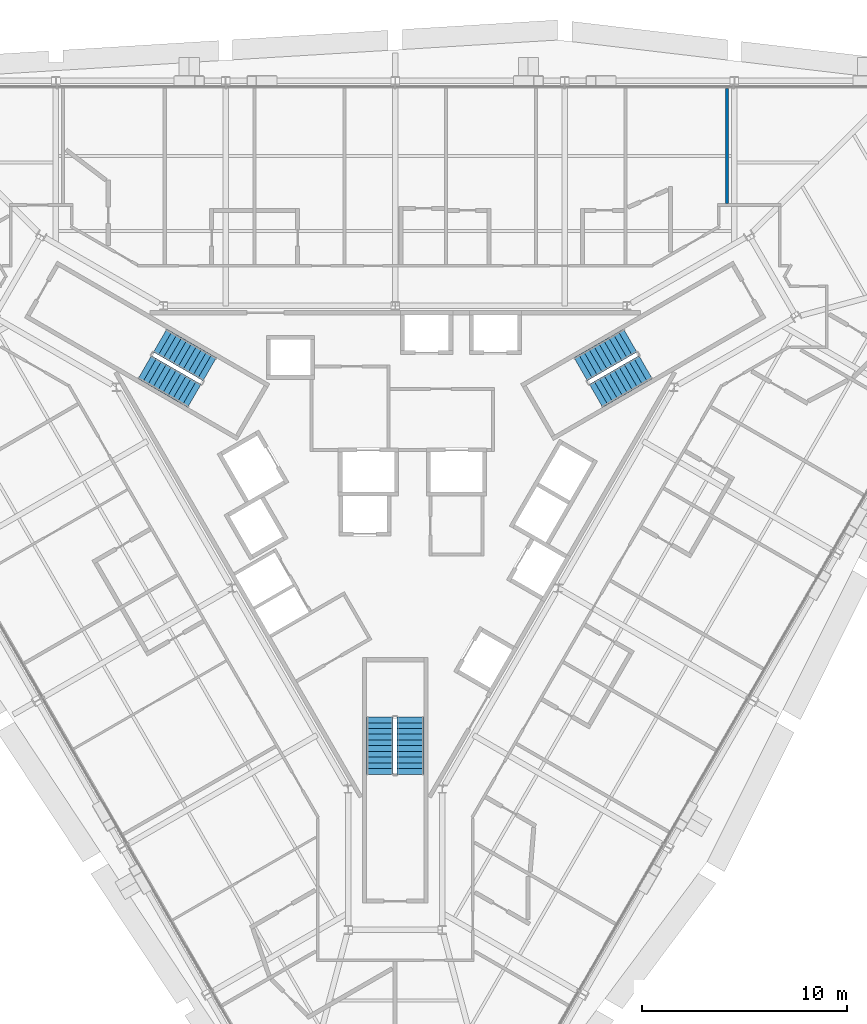
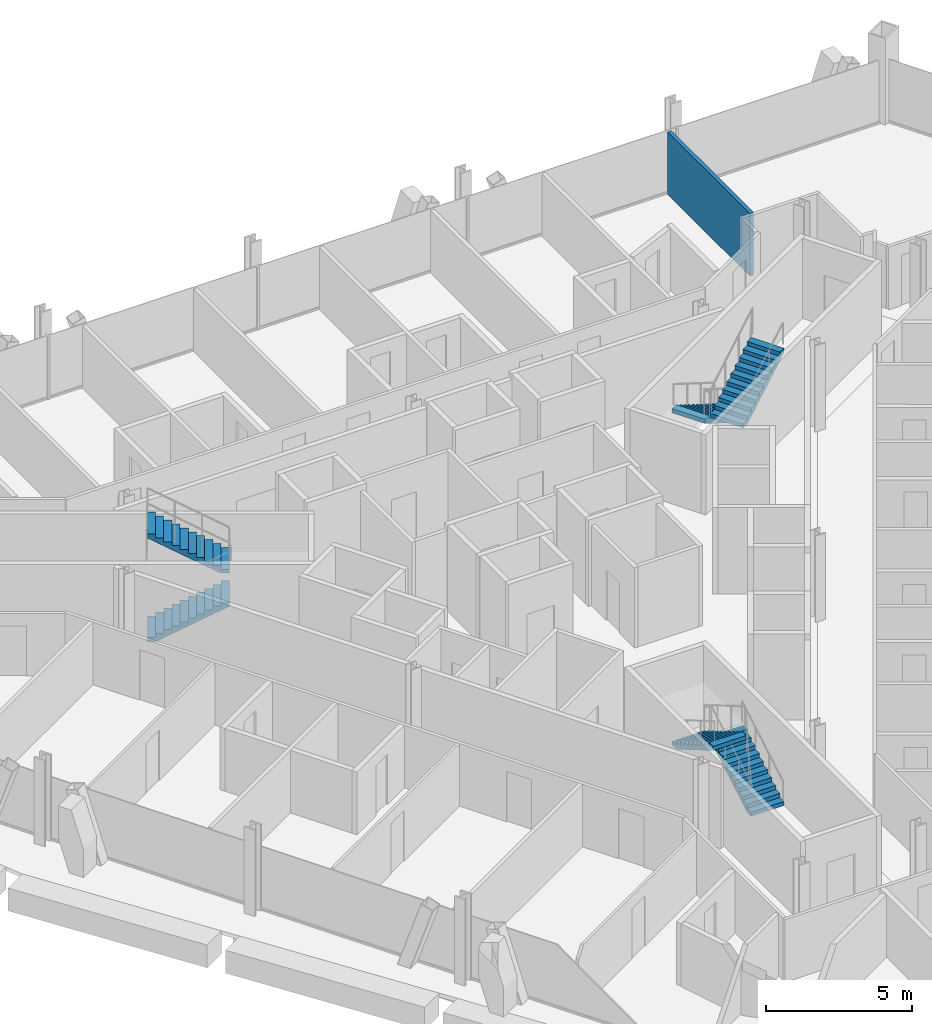
# One storey, part 15 of 17: 6 stair flights, 1 wall, 3 elements without a shape of their own.
"""IFC4 building model written with IfcOpenShell, lengths in metres."""

import ifcopenshell
import ifcopenshell.guid

model = None  # the IFC model being written
_history = None  # IfcOwnerHistory: only IFC2X3 demands one
_inside = {}  # id of a spatial element -> (the spatial element, [elements in it])
_under = {}  # id of a project, library or spatial element -> (it, [spatial elements below it])
_declared = {}  # id of a project -> (the project, [libraries it declares])
_typed = {}  # id of a type object -> (the type object, [elements of that type])
_made_of = {}  # id of a material, layer set ... -> (it, [elements and type objects made of it])


def new_model(schema):
    """Start an empty IFC model of exactly this schema.

    Asked for "IFC4X3", IfcOpenShell would pick the latest addendum, in which some entities
    have other attributes; the version numbers below select the first issue.
    IFC2X3 requires an IfcOwnerHistory on every rooted entity: one is made here for all.
    """
    global model, _history
    if schema == "IFC4X3":
        model = ifcopenshell.file(schema_version=(4, 3, 0, 0))
    else:
        model = ifcopenshell.file(schema=schema)
    _inside.clear()
    _under.clear()
    _declared.clear()
    _typed.clear()
    _made_of.clear()
    _history = None
    if model.schema == "IFC2X3":
        org = make("IfcOrganization", Name="unknown")
        user = make(
            "IfcPersonAndOrganization",
            ThePerson=make("IfcPerson", FamilyName="unknown"),
            TheOrganization=org,
        )
        app = make(
            "IfcApplication",
            ApplicationDeveloper=org,
            Version="unknown",
            ApplicationFullName="unknown",
            ApplicationIdentifier="unknown",
        )
        _history = make(
            "IfcOwnerHistory",
            OwningUser=user,
            OwningApplication=app,
            ChangeAction="ADDED",
            CreationDate=0,
        )
    return model


def make(cls, **values):
    """One entity of the class cls with the attributes given. An attribute that is None is left unset."""
    return model.create_entity(
        cls, **{name: value for name, value in values.items() if value is not None}
    )


def rooted(cls, **values):
    """An entity with a GlobalId (a new one), such as an element, a storey or a relation."""
    return make(cls, GlobalId=ifcopenshell.guid.new(), OwnerHistory=_history, **values)


def si_unit(unit_type, name, prefix=None):
    """IfcSIUnit, for example si_unit("LENGTHUNIT", "METRE", prefix="MILLI")."""
    return make("IfcSIUnit", UnitType=unit_type, Prefix=prefix, Name=name)


def assignment(units):
    """IfcUnitAssignment: the units of a project."""
    return None if units is None else make("IfcUnitAssignment", Units=units)


def point(xyz):
    """IfcCartesianPoint."""
    return None if xyz is None else make("IfcCartesianPoint", Coordinates=xyz)


def direction(xyz):
    """IfcDirection."""
    return None if xyz is None else make("IfcDirection", DirectionRatios=xyz)


def frame(location, z_axis=None, x_axis=None):
    """IfcAxis2Placement3D, a coordinate frame: its origin and axes. An axis left out is left unset."""
    return make(
        "IfcAxis2Placement3D",
        Location=point(location),
        Axis=direction(z_axis),
        RefDirection=direction(x_axis),
    )


def frame_2d(location, x_axis=None):
    """IfcAxis2Placement2D, a coordinate frame in the plane: its origin and x axis."""
    return make(
        "IfcAxis2Placement2D", Location=point(location), RefDirection=direction(x_axis)
    )


def origin():
    """The frame at (0, 0, 0) with its axes left unset."""
    return frame((0.0, 0.0, 0.0))


def place(relative_to, where):
    """IfcLocalPlacement: puts the frame where relative to a parent placement (None: the world)."""
    return make(
        "IfcLocalPlacement", PlacementRelTo=relative_to, RelativePlacement=where
    )


def context(
    kind, dimensions, precision=None, world=None, true_north=None, identifier=None
):
    """IfcGeometricRepresentationContext, for example the 3D "Model" context."""
    return make(
        "IfcGeometricRepresentationContext",
        ContextIdentifier=identifier,
        ContextType=kind,
        CoordinateSpaceDimension=dimensions,
        Precision=precision,
        WorldCoordinateSystem=world,
        TrueNorth=true_north,
    )


def subcontext(parent, identifier, kind, view, scale=None):
    """IfcGeometricRepresentationSubContext, for example "Body" below "Model"."""
    return make(
        "IfcGeometricRepresentationSubContext",
        ContextIdentifier=identifier,
        ContextType=kind,
        ParentContext=parent,
        TargetScale=scale,
        TargetView=view,
    )


def project(units=None, contexts=None):
    """IfcProject with its units and contexts."""
    return rooted(
        "IfcProject",
        Name="project",
        RepresentationContexts=contexts,
        UnitsInContext=assignment(units),
    )


def spatial(cls, under=None, at=None, **own):
    """A site, building, storey or space (cls), placed at a placement, below another one or the project."""
    s = rooted(cls, ObjectPlacement=at, **own)
    if under is not None:
        _under.setdefault(under.id(), (under, []))[1].append(s)
    return s


def polyline(points):
    """IfcPolyline through the points."""
    return make("IfcPolyline", Points=[point(p) for p in points])


def profile(cls, at=None, kind="AREA", **sizes):
    """A parametric profile (cls). Its sizes go by their IFC names, for example OverallWidth=200.0."""
    return make(cls, ProfileType=kind, Position=at, **sizes)


def rectangle(**sizes):
    """IfcRectangleProfileDef."""
    return profile("IfcRectangleProfileDef", **sizes)


def outline(outer, holes=None, kind="AREA"):
    """IfcArbitraryClosedProfileDef: a profile drawn as a closed curve; with holes, ...WithVoids."""
    if holes is None:
        return make("IfcArbitraryClosedProfileDef", ProfileType=kind, OuterCurve=outer)
    return make(
        "IfcArbitraryProfileDefWithVoids",
        ProfileType=kind,
        OuterCurve=outer,
        InnerCurves=holes,
    )


def extrude(swept, where, along, depth):
    """IfcExtrudedAreaSolid: the profile swept, set in the frame where, extruded along a direction by depth."""
    return make(
        "IfcExtrudedAreaSolid",
        SweptArea=swept,
        Position=where,
        ExtrudedDirection=direction(along),
        Depth=depth,
    )


def shape(context_of_items, identifier, shape_type, items):
    """IfcShapeRepresentation: the items that make up one representation, for example the "Body"."""
    return make(
        "IfcShapeRepresentation",
        ContextOfItems=context_of_items,
        RepresentationIdentifier=identifier,
        RepresentationType=shape_type,
        Items=items,
    )


def material(Name=None, Category=None):
    """IfcMaterial."""
    return make("IfcMaterial", Name=Name, Category=Category)


def layer(
    of_material, thickness, ventilated=None, Name=None, Category=None, Priority=None
):
    """IfcMaterialLayer: one layer of a wall or slab, of a material (None: an air gap)."""
    return make(
        "IfcMaterialLayer",
        Material=of_material,
        LayerThickness=thickness,
        IsVentilated=ventilated,
        Name=Name,
        Category=Category,
        Priority=Priority,
    )


def layer_set(layers, Name=None):
    """IfcMaterialLayerSet."""
    return make("IfcMaterialLayerSet", MaterialLayers=layers, LayerSetName=Name)


def made_of(thing, what):
    """Note that an element or type object is made of a material, layer set ...; save() writes the relation."""
    if what is not None:
        _made_of.setdefault(what.id(), (what, []))[1].append(thing)
    return thing


def type_object(cls, material=None, **own):
    """A type object (cls), such as IfcWallType, which elements share."""
    return made_of(rooted(cls, **own), material)


def element(
    cls,
    number,
    at=None,
    inside=None,
    cuts=None,
    type_object=None,
    material=None,
    context=None,
    identifier="Body",
    shape_type=None,
    held_by="IfcProductDefinitionShape",
    body=None,
    shapes=None,
    **own,
):
    """One element of the class cls, such as IfcWall. Its Tag is "e" and its number.

    at: its placement. inside: the storey or other place that contains it. cuts: it is an
    opening in that element (IfcRelVoidsElement). A single representation is given by context,
    identifier, shape_type and body (its items); several are given by shapes. held_by: the class
    of the entity that holds the representations. save() writes the other relations.
    """
    e = rooted(cls, Tag="e%d" % number, ObjectPlacement=at, **own)
    if body is not None:
        shapes = [shape(context, identifier, shape_type, body)]
    if shapes is not None:
        e.Representation = make(held_by, Representations=shapes)
    if inside is not None:
        _inside.setdefault(inside.id(), (inside, []))[1].append(e)
    if cuts is not None:
        rooted(
            "IfcRelVoidsElement", RelatingBuildingElement=cuts, RelatedOpeningElement=e
        )
    if type_object is not None:
        _typed.setdefault(type_object.id(), (type_object, []))[1].append(e)
    return made_of(e, material)


def aggregate(whole, parts):
    """IfcRelAggregates: a whole, such as a stair, and the parts it consists of."""
    return rooted("IfcRelAggregates", RelatingObject=whole, RelatedObjects=parts)


def save(model, path):
    """Write the relations noted so far, then the file.

    IfcRelAggregates (storeys below a building ...), IfcRelContainedInSpatialStructure (elements
    in a storey), IfcRelDefinesByType, IfcRelAssociatesMaterial and IfcRelDeclares: one each for
    every whole, place, type object, material and project.
    """
    for whole, parts in _under.values():
        aggregate(whole, parts)
    for where, things in _inside.values():
        rooted(
            "IfcRelContainedInSpatialStructure",
            RelatedElements=things,
            RelatingStructure=where,
        )
    for kind, things in _typed.values():
        rooted("IfcRelDefinesByType", RelatedObjects=things, RelatingType=kind)
    for what, things in _made_of.values():
        rooted("IfcRelAssociatesMaterial", RelatedObjects=things, RelatingMaterial=what)
    for by, libraries in _declared.values():
        rooted("IfcRelDeclares", RelatingContext=by, RelatedDefinitions=libraries)
    model.write(path)


model = new_model("IFC4")

# Units and contexts
model_context = context("Model", 3, precision=1e-05, world=origin(), true_north=direction((0.0, 1.0)))
body_context = subcontext(model_context, "Body", "Model", "MODEL_VIEW")
ifc_project = project(units=[si_unit("LENGTHUNIT", "METRE"), si_unit("AREAUNIT", "SQUARE_METRE"), si_unit("VOLUMEUNIT", "CUBIC_METRE"), si_unit("PLANEANGLEUNIT", "RADIAN"), si_unit("MASSUNIT", "GRAM", prefix="KILO")], contexts=[model_context])

# Site, building, storey
site_placement = place(None, origin())
site = spatial("IfcSite", under=ifc_project, at=site_placement, CompositionType="ELEMENT")
building_placement = place(site_placement, origin())
building = spatial("IfcBuilding", under=site, at=building_placement, Name="Verrane Prism Tower", CompositionType="ELEMENT")
storey_placement = place(building_placement, frame((0.0, 0.0, 136.0)))
storey = spatial("IfcBuildingStorey", under=building, at=storey_placement, Name="L33", CompositionType="ELEMENT", Elevation=136.0)

# Wall
ifc_material_1 = material(Name="Gypsum board partition", Category="other")
ifc_layer = layer(ifc_material_1, 0.14990234375)
ifc_layer_set = layer_set([ifc_layer], Name="PW-150 demising wall 1 h")
wall_type = type_object("IfcWallType", Name="PW-150 demising wall 1 h", PredefinedType="PARTITIONING", material=ifc_layer_set)
wall_placement = place(storey_placement, frame((16.22607421875, 14.189453125, 0.0), z_axis=(0.0, 0.0, 1.0), x_axis=(0.0, 1.0, 0.0)))
element("IfcWall", 1, at=wall_placement, inside=storey, type_object=wall_type, Name="Demising wall 084", PredefinedType="PARTITIONING", context=body_context, shape_type="SweptSolid", body=[
    extrude(rectangle(XDim=5.62548828125, YDim=0.14990234375, at=frame_2d((2.812744140625, 0.0))), origin(), (0.0, 0.0, 1.0), 2.613037109375),
])

# Stair, stair flights
ifc_material_2 = material(Name="Concrete C40/50", Category="concrete")
stair_type = type_object("IfcStairType", Name="Exit stair 1300 dog-leg precast concrete C40/50", PredefinedType="HALF_TURN_STAIR", material=ifc_material_2)
stair_1_placement = place(storey_placement, origin())
stair_1 = element("IfcStair", 2, at=stair_1_placement, inside=storey, type_object=stair_type, Name="Stair 1 L33", PredefinedType="HALF_TURN_STAIR")
ifc_material_3 = material(Name="Concrete C40/50", Category="concrete")
stair_flight_type = type_object("IfcStairFlightType", Name="Stair flight 1300 precast concrete C40/50", PredefinedType="STRAIGHT", material=ifc_material_3)
stair_flight_1_placement = place(storey_placement, frame((11.489501953125, 7.49951171875, 0.0), z_axis=(0.0, 0.0, 1.0), x_axis=(-0.866025403784, -0.5, 0.0)))
stair_flight_1 = element("IfcStairFlight", 3, at=stair_flight_1_placement, type_object=stair_flight_type, Name="Stair 1 flight 1", NumberOfRisers=11, NumberOfTreads=10, PredefinedType="STRAIGHT", RiserHeight=0.163636364, TreadLength=0.28, context=body_context, shape_type="SweptSolid", body=[
    extrude(outline(polyline([(0.0, 0.0), (0.0, 0.16357421875), (0.280029296875, 0.16357421875), (0.280029296875, 0.327392578125), (0.56005859375, 0.327392578125), (0.56005859375, 0.490966796875), (0.840087890625, 0.490966796875), (0.840087890625, 0.654541015625), (1.1201171875, 0.654541015625), (1.1201171875, 0.818115234375), (1.39990234375, 0.818115234375), (1.39990234375, 0.98193359375), (1.679931640625, 0.98193359375), (1.679931640625, 1.1455078125), (1.9599609375, 1.1455078125), (1.9599609375, 1.30908203125), (2.239990234375, 1.30908203125), (2.239990234375, 1.47265625), (2.52001953125, 1.47265625), (2.52001953125, 1.636474609375), (2.800048828125, 1.636474609375), (2.800048828125, 1.800048828125), (2.800048828125, 1.462646484375), (0.297119140625, 0.0), (0.0, 0.0)])), frame((0.0, 0.64990234375, 0.0), z_axis=(0.0, -1.0, 0.0), x_axis=(1.0, 0.0, 0.0)), (0.0, 0.0, 1.0), 1.300048828125),
])
stair_flight_2_placement = place(storey_placement, frame((9.814697265625, 4.800537109375, 1.800048828125), z_axis=(0.0, 0.0, 1.0), x_axis=(0.866025403784, 0.5, 0.0)))
stair_flight_2 = element("IfcStairFlight", 4, at=stair_flight_2_placement, type_object=stair_flight_type, Name="Stair 1 flight 2", NumberOfRisers=11, NumberOfTreads=10, PredefinedType="STRAIGHT", RiserHeight=0.163636364, TreadLength=0.28, context=body_context, shape_type="SweptSolid", body=[
    extrude(outline(polyline([(0.0, 0.0), (0.0, 0.16357421875), (0.280029296875, 0.16357421875), (0.280029296875, 0.327392578125), (0.56005859375, 0.327392578125), (0.56005859375, 0.490966796875), (0.840087890625, 0.490966796875), (0.840087890625, 0.654541015625), (1.1201171875, 0.654541015625), (1.1201171875, 0.818115234375), (1.39990234375, 0.818115234375), (1.39990234375, 0.98193359375), (1.679931640625, 0.98193359375), (1.679931640625, 1.1455078125), (1.9599609375, 1.1455078125), (1.9599609375, 1.30908203125), (2.239990234375, 1.30908203125), (2.239990234375, 1.47265625), (2.52001953125, 1.47265625), (2.52001953125, 1.636474609375), (2.800048828125, 1.636474609375), (2.800048828125, 1.800048828125), (2.800048828125, 1.462646484375), (0.297119140625, 0.0), (0.0, 0.0)])), frame((0.0, 0.64990234375, 0.0), z_axis=(0.0, -1.0, 0.0), x_axis=(1.0, 0.0, 0.0)), (0.0, 0.0, 1.0), 1.300048828125),
])
aggregate(stair_1, [stair_flight_1, stair_flight_2])

stair_2_placement = place(storey_placement, origin())
stair_2 = element("IfcStair", 5, at=stair_2_placement, inside=storey, type_object=stair_type, Name="Stair 2 L33", PredefinedType="HALF_TURN_STAIR")
stair_flight_3_placement = place(storey_placement, frame((-12.239501953125, 6.200439453125, 0.0), z_axis=(0.0, 0.0, 1.0), x_axis=(0.866025403784, -0.5, 0.0)))
stair_flight_3 = element("IfcStairFlight", 6, at=stair_flight_3_placement, type_object=stair_flight_type, Name="Stair 2 flight 1", NumberOfRisers=11, NumberOfTreads=10, PredefinedType="STRAIGHT", RiserHeight=0.163636364, TreadLength=0.28, context=body_context, shape_type="SweptSolid", body=[
    extrude(outline(polyline([(0.0, 0.0), (0.0, 0.16357421875), (0.280029296875, 0.16357421875), (0.280029296875, 0.327392578125), (0.56005859375, 0.327392578125), (0.56005859375, 0.490966796875), (0.840087890625, 0.490966796875), (0.840087890625, 0.654541015625), (1.1201171875, 0.654541015625), (1.1201171875, 0.818115234375), (1.39990234375, 0.818115234375), (1.39990234375, 0.98193359375), (1.679931640625, 0.98193359375), (1.679931640625, 1.1455078125), (1.9599609375, 1.1455078125), (1.9599609375, 1.30908203125), (2.239990234375, 1.30908203125), (2.239990234375, 1.47265625), (2.52001953125, 1.47265625), (2.52001953125, 1.636474609375), (2.800048828125, 1.636474609375), (2.800048828125, 1.800048828125), (2.800048828125, 1.462646484375), (0.297119140625, 0.0), (0.0, 0.0)])), frame((0.0, 0.64990234375, 0.0), z_axis=(0.0, -1.0, 0.0), x_axis=(1.0, 0.0, 0.0)), (0.0, 0.0, 1.0), 1.300048828125),
])
stair_flight_4_placement = place(storey_placement, frame((-9.064697265625, 6.099609375, 1.800048828125), z_axis=(0.0, 0.0, 1.0), x_axis=(-0.866025403784, 0.5, 0.0)))
stair_flight_4 = element("IfcStairFlight", 7, at=stair_flight_4_placement, type_object=stair_flight_type, Name="Stair 2 flight 2", NumberOfRisers=11, NumberOfTreads=10, PredefinedType="STRAIGHT", RiserHeight=0.163636364, TreadLength=0.28, context=body_context, shape_type="SweptSolid", body=[
    extrude(outline(polyline([(0.0, 0.0), (0.0, 0.16357421875), (0.280029296875, 0.16357421875), (0.280029296875, 0.327392578125), (0.56005859375, 0.327392578125), (0.56005859375, 0.490966796875), (0.840087890625, 0.490966796875), (0.840087890625, 0.654541015625), (1.1201171875, 0.654541015625), (1.1201171875, 0.818115234375), (1.39990234375, 0.818115234375), (1.39990234375, 0.98193359375), (1.679931640625, 0.98193359375), (1.679931640625, 1.1455078125), (1.9599609375, 1.1455078125), (1.9599609375, 1.30908203125), (2.239990234375, 1.30908203125), (2.239990234375, 1.47265625), (2.52001953125, 1.47265625), (2.52001953125, 1.636474609375), (2.800048828125, 1.636474609375), (2.800048828125, 1.800048828125), (2.800048828125, 1.462646484375), (0.297119140625, 0.0), (0.0, 0.0)])), frame((0.0, 0.64990234375, 0.0), z_axis=(0.0, -1.0, 0.0), x_axis=(1.0, 0.0, 0.0)), (0.0, 0.0, 1.0), 1.300048828125),
])
aggregate(stair_2, [stair_flight_3, stair_flight_4])

stair_3_placement = place(storey_placement, origin())
stair_3 = element("IfcStair", 8, at=stair_3_placement, inside=storey, type_object=stair_type, Name="Stair 3 L33", PredefinedType="HALF_TURN_STAIR")
stair_flight_5_placement = place(storey_placement, frame((0.75, -13.699951171875, 0.0), z_axis=(0.0, 0.0, 1.0), x_axis=(0.0, 1.0, 0.0)))
stair_flight_5 = element("IfcStairFlight", 9, at=stair_flight_5_placement, type_object=stair_flight_type, Name="Stair 3 flight 1", NumberOfRisers=11, NumberOfTreads=10, PredefinedType="STRAIGHT", RiserHeight=0.163636364, TreadLength=0.28, context=body_context, shape_type="SweptSolid", body=[
    extrude(outline(polyline([(0.0, 0.0), (0.0, 0.16357421875), (0.280029296875, 0.16357421875), (0.280029296875, 0.327392578125), (0.56005859375, 0.327392578125), (0.56005859375, 0.490966796875), (0.840087890625, 0.490966796875), (0.840087890625, 0.654541015625), (1.1201171875, 0.654541015625), (1.1201171875, 0.818115234375), (1.39990234375, 0.818115234375), (1.39990234375, 0.98193359375), (1.679931640625, 0.98193359375), (1.679931640625, 1.1455078125), (1.9599609375, 1.1455078125), (1.9599609375, 1.30908203125), (2.239990234375, 1.30908203125), (2.239990234375, 1.47265625), (2.52001953125, 1.47265625), (2.52001953125, 1.636474609375), (2.800048828125, 1.636474609375), (2.800048828125, 1.800048828125), (2.800048828125, 1.462646484375), (0.297119140625, 0.0), (0.0, 0.0)])), frame((0.0, 0.64990234375, 0.0), z_axis=(0.0, -1.0, 0.0), x_axis=(1.0, 0.0, 0.0)), (0.0, 0.0, 1.0), 1.300048828125),
])
stair_flight_6_placement = place(storey_placement, frame((-0.75, -10.89990234375, 1.800048828125), z_axis=(0.0, 0.0, 1.0), x_axis=(0.0, -1.0, 0.0)))
stair_flight_6 = element("IfcStairFlight", 10, at=stair_flight_6_placement, type_object=stair_flight_type, Name="Stair 3 flight 2", NumberOfRisers=11, NumberOfTreads=10, PredefinedType="STRAIGHT", RiserHeight=0.163636364, TreadLength=0.28, context=body_context, shape_type="SweptSolid", body=[
    extrude(outline(polyline([(0.0, 0.0), (0.0, 0.16357421875), (0.280029296875, 0.16357421875), (0.280029296875, 0.327392578125), (0.56005859375, 0.327392578125), (0.56005859375, 0.490966796875), (0.840087890625, 0.490966796875), (0.840087890625, 0.654541015625), (1.1201171875, 0.654541015625), (1.1201171875, 0.818115234375), (1.39990234375, 0.818115234375), (1.39990234375, 0.98193359375), (1.679931640625, 0.98193359375), (1.679931640625, 1.1455078125), (1.9599609375, 1.1455078125), (1.9599609375, 1.30908203125), (2.239990234375, 1.30908203125), (2.239990234375, 1.47265625), (2.52001953125, 1.47265625), (2.52001953125, 1.636474609375), (2.800048828125, 1.636474609375), (2.800048828125, 1.800048828125), (2.800048828125, 1.462646484375), (0.297119140625, 0.0), (0.0, 0.0)])), frame((0.0, 0.64990234375, 0.0), z_axis=(0.0, -1.0, 0.0), x_axis=(1.0, 0.0, 0.0)), (0.0, 0.0, 1.0), 1.300048828125),
])
aggregate(stair_3, [stair_flight_5, stair_flight_6])

save(model, "model.ifc")
